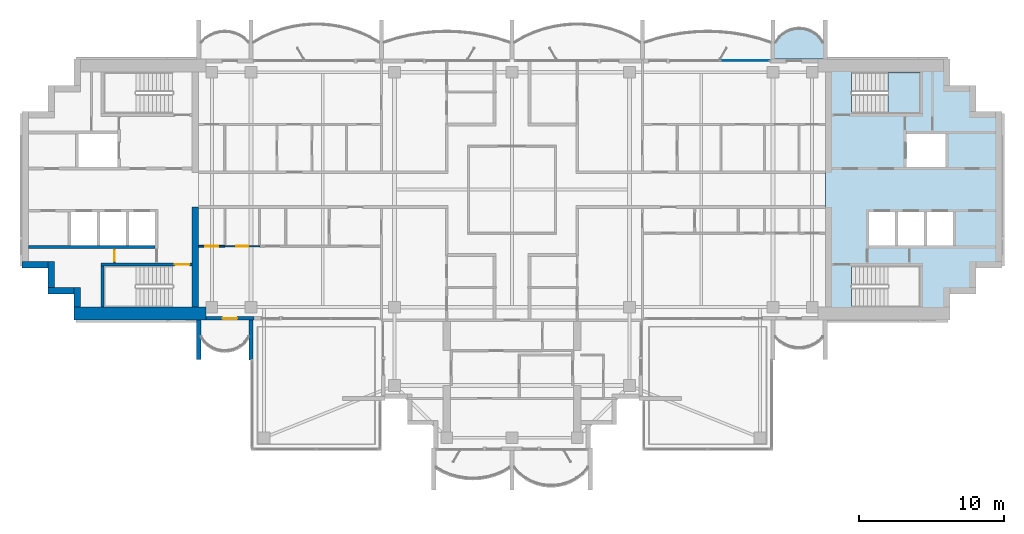
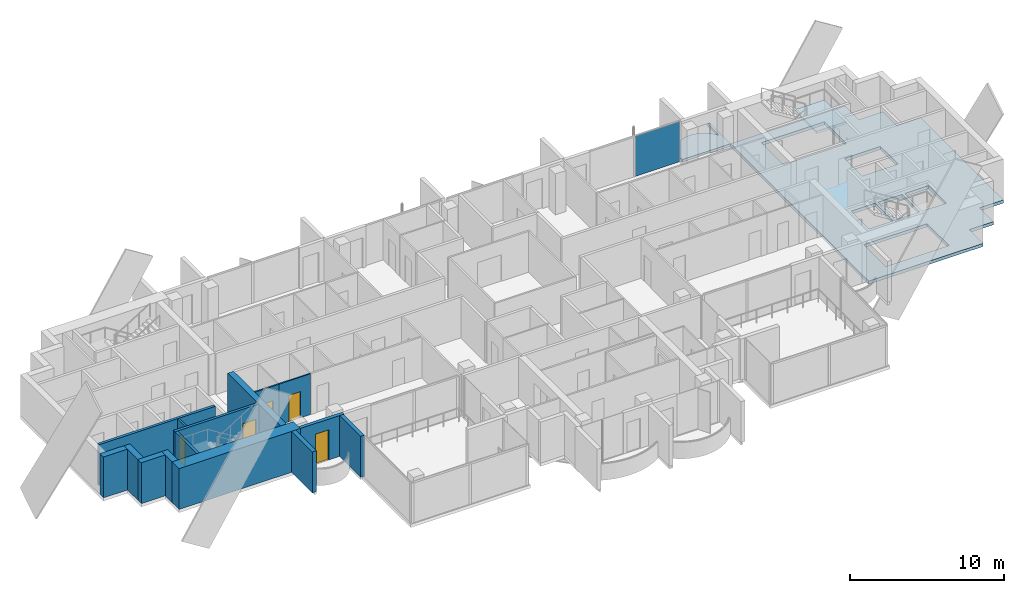
# One storey, part 6 of 16: 15 walls, 5 doors, 3 slabs, 1 plate, 5 openings, 2 elements without a shape of their own.
"""IFC4 building model written with IfcOpenShell, lengths in metres."""

from ifc_helpers import new_model, si_unit, direction, frame, frame_2d, origin, origin_2d, place, context, subcontext, project, spatial, polyline, rectangle, outline, extrude, material, layer, layer_set, type_object, element, fill, aggregate, save


model = new_model("IFC4")

# Units and contexts
model_context = context("Model", 3, precision=1e-05, world=origin(), true_north=direction((0.0, 1.0)))
body_context = subcontext(model_context, "Body", "Model", "MODEL_VIEW")
ifc_project = project(units=[si_unit("LENGTHUNIT", "METRE"), si_unit("AREAUNIT", "SQUARE_METRE"), si_unit("VOLUMEUNIT", "CUBIC_METRE"), si_unit("PLANEANGLEUNIT", "RADIAN"), si_unit("MASSUNIT", "GRAM", prefix="KILO")], contexts=[model_context])

# Site, building, storey
site_placement = place(None, origin())
site = spatial("IfcSite", under=ifc_project, at=site_placement, CompositionType="ELEMENT")
building_placement = place(site_placement, origin())
building = spatial("IfcBuilding", under=site, at=building_placement, Name="Perihelion Cross Residences", CompositionType="ELEMENT")
storey_placement = place(building_placement, frame((0.0, 0.0, 239.5)))
storey = spatial("IfcBuildingStorey", under=building, at=storey_placement, Name="L60", CompositionType="ELEMENT", Elevation=239.5)

# Slab
ifc_material_1 = material(Name="Concrete C40/50", Category="concrete")
ifc_layer_1 = layer(ifc_material_1, 0.199951171875)
ifc_layer_set_1 = layer_set([ifc_layer_1], Name="Balcony slab 200")
slab_type_1 = type_object("IfcSlabType", Name="Balcony slab 200", PredefinedType="FLOOR", material=ifc_layer_set_1)
slab_1_placement = place(storey_placement, frame((0.0, 0.0, -0.199951171875)))
element("IfcSlab", 1, at=slab_1_placement, inside=storey, type_object=slab_type_1, Name="Slab BK1 L60 east side north bay 1 balcony", PredefinedType="FLOOR", context=body_context, shape_type="SweptSolid", body=[
    extrude(outline(polyline([(21.60009765625, 9.0), (18.0, 9.0), (18.0, 11.699951171875), (18.14990234375, 11.699951171875), (18.14990234375, 10.199951171875), (18.425048828125, 10.568603515625), (18.699951171875, 10.806396484375), (18.97509765625, 10.96875), (19.25, 11.07568359375), (19.52490234375, 11.136962890625), (19.800048828125, 11.156982421875), (20.074951171875, 11.136962890625), (20.35009765625, 11.07568359375), (20.625, 10.96875), (20.89990234375, 10.806396484375), (21.175048828125, 10.568603515625), (21.449951171875, 10.199951171875), (21.449951171875, 11.699951171875), (21.60009765625, 11.699951171875), (21.60009765625, 9.0)])), origin(), (0.0, 0.0, 1.0), 0.199951171875),
])

# Curtain wall, plate
ifc_material_2 = material(Name="Bronze anodised aluminium, tinted glazing", Category="aluminium")
curtain_wall_type = type_object("IfcCurtainWallType", Name="CW1", PredefinedType="NOTDEFINED", material=ifc_material_2)
curtain_wall_placement = place(storey_placement, origin())
curtain_wall = element("IfcCurtainWall", 2, at=curtain_wall_placement, inside=storey, type_object=curtain_wall_type, Name="Curtain wall CW1 L60 east side north bay 2", PredefinedType="NOTDEFINED")
ifc_material_3 = material(Name="Tinted laminated glass", Category="glass")
ifc_layer_2 = layer(ifc_material_3, 0.028076171875)
ifc_layer_set_2 = layer_set([ifc_layer_2], Name="CW1 panel")
plate_type = type_object("IfcPlateType", Name="CW1 panel", PredefinedType="CURTAIN_PANEL", material=ifc_layer_set_2)
plate_placement = place(storey_placement, frame((16.06005859375, 8.89990234375, 0.0), z_axis=(0.0, 0.0, 1.0), x_axis=(-1.0, 0.0, 0.0)))
plate = element("IfcPlate", 3, at=plate_placement, type_object=plate_type, Name="CW1 panel 1", PredefinedType="CURTAIN_PANEL", context=body_context, shape_type="SweptSolid", body=[
    extrude(rectangle(XDim=3.360107421875, YDim=0.028076171875, at=origin_2d()), origin(), (0.0, 0.0, 1.0), 3.18994140625),
])
aggregate(curtain_wall, [plate])

# Slab
ifc_material_4 = material(Name="Concrete C40/50", Category="concrete")
ifc_layer_3 = layer(ifc_material_4, 0.25)
ifc_layer_set_3 = layer_set([ifc_layer_3], Name="Core floor slab 250")
slab_type_2 = type_object("IfcSlabType", Name="Core floor slab 250", PredefinedType="FLOOR", material=ifc_layer_set_3)
slab_2_placement = place(storey_placement, frame((0.0, 0.0, -0.25)))
element("IfcSlab", 4, at=slab_2_placement, inside=storey, type_object=slab_type_2, Name="East core floor slab", PredefinedType="FLOOR", context=body_context, shape_type="SweptSolid", body=[
    extrude(outline(polyline([(30.199951171875, 7.199951171875), (32.0, 7.199951171875), (32.0, 5.39990234375), (33.800048828125, 5.39990234375), (33.800048828125, -5.39990234375), (32.0, -5.39990234375), (32.0, -7.199951171875), (30.199951171875, -7.199951171875), (30.199951171875, -9.0), (21.60009765625, -9.0), (21.60009765625, 9.0), (30.199951171875, 9.0), (30.199951171875, 7.199951171875)]), holes=[polyline([(28.14990234375, -8.10009765625), (28.14990234375, -5.25), (23.405029296875, -5.25), (23.405029296875, -8.10009765625), (28.14990234375, -8.10009765625)]), polyline([(24.60009765625, -1.550048828125), (24.60009765625, -3.85009765625), (26.39990234375, -3.85009765625), (26.39990234375, -1.550048828125), (24.60009765625, -1.550048828125)]), polyline([(26.60009765625, -1.550048828125), (26.60009765625, -3.85009765625), (28.39990234375, -3.85009765625), (28.39990234375, -1.550048828125), (26.60009765625, -1.550048828125)]), polyline([(28.60009765625, -3.85009765625), (30.39990234375, -3.85009765625), (30.39990234375, -1.550048828125), (28.60009765625, -1.550048828125), (28.60009765625, -3.85009765625)]), polyline([(27.199951171875, 3.85009765625), (27.199951171875, 1.550048828125), (29.89990234375, 1.550048828125), (29.89990234375, 3.85009765625), (27.199951171875, 3.85009765625)]), polyline([(23.405029296875, 5.25), (28.14990234375, 5.25), (28.14990234375, 8.10009765625), (23.405029296875, 8.10009765625), (23.405029296875, 5.25)])]), origin(), (0.0, 0.0, 1.0), 0.25),
])

# Stair, slab
ifc_material_5 = material(Name="Concrete C40/50", Category="concrete")
stair_type = type_object("IfcStairType", Name="Exit stair, half-turn", PredefinedType="HALF_TURN_STAIR", material=ifc_material_5)
stair_placement = place(storey_placement, origin())
stair = element("IfcStair", 5, at=stair_placement, inside=storey, type_object=stair_type, Name="L60 East core exit stair 1", PredefinedType="HALF_TURN_STAIR")
ifc_material_6 = material(Name="Concrete C40/50", Category="concrete")
ifc_layer_4 = layer(ifc_material_6, 0.199951171875)
ifc_layer_set_4 = layer_set([ifc_layer_4], Name="Exit stair landing 200")
slab_type_3 = type_object("IfcSlabType", Name="Exit stair landing 200", PredefinedType="LANDING", material=ifc_layer_set_4)
slab_3_placement = place(storey_placement, frame((0.0, 0.0, 1.550048828125)))
slab_3 = element("IfcSlab", 6, at=slab_3_placement, type_object=slab_type_3, Name="ST-E1 landing 1", PredefinedType="LANDING", context=body_context, shape_type="SweptSolid", body=[
    extrude(outline(polyline([(25.919921875, 5.25), (28.14990234375, 5.25), (28.14990234375, 8.10009765625), (25.919921875, 8.10009765625), (25.919921875, 5.25)])), origin(), (0.0, 0.0, 1.0), 0.199951171875),
])
aggregate(stair, [slab_3])

# Wall, opening, door
ifc_material_7 = material(Name="Concrete C30/37, bronze-clad", Category="concrete")
ifc_layer_5 = layer(ifc_material_7, 0.25)
ifc_layer_set_5 = layer_set([ifc_layer_5], Name="Bronze-clad pier wall 250")
wall_type_1 = type_object("IfcWallType", Name="Bronze-clad pier wall 250", PredefinedType="SOLIDWALL", material=ifc_layer_set_5)
wall_1_placement = place(storey_placement, frame((-21.10009765625, -8.875, 0.0), z_axis=(0.0, 0.0, 1.0), x_axis=(1.0, 0.0, 0.0)))
wall_1 = element("IfcWall", 7, at=wall_1_placement, inside=storey, type_object=wall_type_1, Name="Wall FW1 L60 west side south bay 1 pier", PredefinedType="SOLIDWALL", context=body_context, shape_type="SweptSolid", body=[
    extrude(rectangle(XDim=3.300048828125, YDim=0.25, at=frame_2d((1.64990234375, 0.0))), origin(), (0.0, 0.0, 1.0), 3.25),
])
opening_1_placement = place(wall_1_placement, frame((1.14990234375, 0.0, 0.0)))
opening_1 = element("IfcOpeningElement", 8, at=opening_1_placement, cuts=wall_1, Name="Opening L60.E07", PredefinedType="OPENING", context=body_context, shape_type="SweptSolid", body=[
    extrude(rectangle(XDim=1.0, YDim=2.39990234375, at=frame_2d((0.5, 1.199951171875))), frame((0.0, 0.135009765625, 0.0), z_axis=(0.0, -1.0, 0.0), x_axis=(1.0, 0.0, 0.0)), (0.0, 0.0, 1.0), 0.27001953125),
])
ifc_material_8 = material(Name="Bronze anodised aluminium, glazed", Category="aluminium")
door_type_1 = type_object("IfcDoorType", Name="Balcony door 1000 x 2400", OperationType="NOTDEFINED", PredefinedType="DOOR", material=ifc_material_8)
door_1_placement = place(opening_1_placement, origin())
door_1 = element("IfcDoor", 9, at=door_1_placement, inside=storey, type_object=door_type_1, Name="Door L60.E07 west side south bay 1", OperationType="SINGLE_SWING_LEFT", OverallHeight=2.39990234375, OverallWidth=1.0, PredefinedType="DOOR", context=body_context, shape_type="SweptSolid", body=[
    extrude(rectangle(XDim=1.0, YDim=2.39990234375, at=frame_2d((0.5, 1.199951171875))), frame((0.0, 0.02490234375, 0.0), z_axis=(0.0, -1.0, 0.0), x_axis=(1.0, 0.0, 0.0)), (0.0, 0.0, 1.0), 0.050048828125),
])
fill(opening_1, door_1)

# Walls
ifc_material_9 = material(Name="Concrete C60/75", Category="concrete")
ifc_layer_6 = layer(ifc_material_9, 0.449951171875)
ifc_layer_set_6 = layer_set([ifc_layer_6], Name="Core wall, inner 450")
wall_type_2 = type_object("IfcWallType", Name="Core wall, inner 450", PredefinedType="SHEAR", material=ifc_layer_set_6)
wall_2_placement = place(storey_placement, frame((-21.824951171875, -8.10009765625, 0.0), z_axis=(0.0, 0.0, 1.0), x_axis=(0.0, 1.0, 0.0)))
element("IfcWall", 10, at=wall_2_placement, inside=storey, type_object=wall_type_2, Name="West core core wall, inner", PredefinedType="SHEAR", context=body_context, shape_type="SweptSolid", body=[
    extrude(rectangle(XDim=6.900146484375, YDim=0.449951171875, at=frame_2d((3.4501953125, 0.0))), origin(), (0.0, 0.0, 1.0), 3.25),
])
ifc_material_10 = material(Name="Concrete C60/75", Category="concrete")
ifc_layer_7 = layer(ifc_material_10, 0.449951171875)
ifc_layer_set_7 = layer_set([ifc_layer_7], Name="Core wall, outer 450")
wall_type_3 = type_object("IfcWallType", Name="Core wall, outer 450", PredefinedType="SHEAR", material=ifc_layer_set_7)
wall_3_placement = place(storey_placement, frame((-29.97509765625, -8.10009765625, 0.0), z_axis=(0.0, 0.0, 1.0), x_axis=(0.0, 1.0, 0.0)))
element("IfcWall", 11, at=wall_3_placement, inside=storey, type_object=wall_type_3, Name="West core core wall, outer", PredefinedType="SHEAR", context=body_context, shape_type="SweptSolid", body=[
    extrude(rectangle(XDim=1.35009765625, YDim=0.449951171875, at=frame_2d((0.675048828125, 0.0))), origin(), (0.0, 0.0, 1.0), 3.25),
])
for number, where, z_axis, x_axis, name in (
    (12, (-32.0, -6.97509765625, 0.0), (0.0, 0.0, 1.0), (1.0, 0.0, 0.0), "West core core wall, outer"),
    (13, (-31.77490234375, -6.75, 0.0), (0.0, 0.0, 1.0), (0.0, 1.0, 0.0), "West core core wall, outer"),
    (14, (-33.800048828125, -5.175048828125, 0.0), (0.0, 0.0, 1.0), (1.0, 0.0, 0.0), "West core core wall, outer"),
):
    element("IfcWall", number, at=place(storey_placement, frame(where, z_axis=z_axis, x_axis=x_axis)), inside=storey, type_object=wall_type_3, Name=name, PredefinedType="SHEAR", context=body_context, shape_type="SweptSolid", body=[
        extrude(rectangle(XDim=1.800048828125, YDim=0.449951171875, at=frame_2d((0.89990234375, 0.0))), origin(), (0.0, 0.0, 1.0), 3.25),
    ])
ifc_material_11 = material(Name="Concrete C60/75", Category="concrete")
ifc_layer_8 = layer(ifc_material_11, 0.89990234375)
ifc_layer_set_8 = layer_set([ifc_layer_8], Name="Core wall, outer 900")
wall_type_4 = type_object("IfcWallType", Name="Core wall, outer 900", PredefinedType="SHEAR", material=ifc_layer_set_8)
wall_4_placement = place(storey_placement, frame((-30.199951171875, -8.550048828125, 0.0), z_axis=(0.0, 0.0, 1.0), x_axis=(1.0, 0.0, 0.0)))
element("IfcWall", 15, at=wall_4_placement, inside=storey, type_object=wall_type_4, Name="West core core wall, outer", PredefinedType="SHEAR", context=body_context, shape_type="SweptSolid", body=[
    extrude(rectangle(XDim=9.099853515625, YDim=0.89990234375, at=frame_2d((4.5498046875, 0.0))), origin(), (0.0, 0.0, 1.0), 3.25),
])

# Wall, opening, door
ifc_material_12 = material(Name="Plasterboard partition")
ifc_layer_9 = layer(ifc_material_12, 0.1201171875)
ifc_layer_set_9 = layer_set([ifc_layer_9], Name="Partition wall 120")
wall_type_5 = type_object("IfcWallType", Name="Partition wall 120", PredefinedType="PARTITIONING", material=ifc_layer_set_9)
wall_5_placement = place(storey_placement, frame((-19.800048828125, -3.89990234375, 0.0), z_axis=(0.0, 0.0, 1.0), x_axis=(-1.0, 0.0, 0.0)))
wall_5 = element("IfcWall", 16, at=wall_5_placement, inside=storey, type_object=wall_type_5, Name="Partition L60 W061", PredefinedType="PARTITIONING", context=body_context, shape_type="SweptSolid", body=[
    extrude(rectangle(XDim=1.800048828125, YDim=0.1201171875, at=frame_2d((0.89990234375, 0.0))), origin(), (0.0, 0.0, 1.0), 3.25),
])
opening_2_placement = place(wall_5_placement, frame((0.449951171875, 0.0, 0.0)))
opening_2 = element("IfcOpeningElement", 17, at=opening_2_placement, cuts=wall_5, Name="Opening L60.A26", PredefinedType="OPENING", context=body_context, shape_type="SweptSolid", body=[
    extrude(rectangle(XDim=0.89990234375, YDim=2.10009765625, at=frame_2d((0.449951171875, 1.050048828125))), frame((0.0, 0.070068359375, 0.0), z_axis=(0.0, -1.0, 0.0), x_axis=(1.0, 0.0, 0.0)), (0.0, 0.0, 1.0), 0.14013671875),
])
ifc_material_13 = material(Name="Timber door leaf", Category="wood")
door_type_2 = type_object("IfcDoorType", Name="Interior room door 900 x 2100", OperationType="SINGLE_SWING_LEFT", PredefinedType="DOOR", material=ifc_material_13)
door_2_placement = place(opening_2_placement, origin())
door_2 = element("IfcDoor", 18, at=door_2_placement, inside=storey, type_object=door_type_2, Name="Door L60.A26", OperationType="SINGLE_SWING_LEFT", OverallHeight=2.10009765625, OverallWidth=0.89990234375, PredefinedType="DOOR", context=body_context, shape_type="SweptSolid", body=[
    extrude(rectangle(XDim=0.89990234375, YDim=2.10009765625, at=frame_2d((0.449951171875, 1.050048828125))), frame((0.0, 0.02490234375, 0.0), z_axis=(0.0, -1.0, 0.0), x_axis=(1.0, 0.0, 0.0)), (0.0, 0.0, 1.0), 0.050048828125),
])
fill(opening_2, door_2)

# Walls
ifc_material_14 = material(Name="Precast concrete C50/60", Category="concrete")
ifc_layer_10 = layer(ifc_material_14, 0.300048828125)
ifc_layer_set_10 = layer_set([ifc_layer_10], Name="Precast concrete C50/60 blade wall 300")
wall_type_6 = type_object("IfcWallType", Name="Precast concrete C50/60 blade wall 300", PredefinedType="SOLIDWALL", material=ifc_layer_set_10)
wall_6_placement = place(storey_placement, frame((-21.60009765625, -9.0, 0.0), z_axis=(0.0, 0.0, 1.0), x_axis=(0.0, -1.0, 0.0)))
element("IfcWall", 19, at=wall_6_placement, inside=storey, type_object=wall_type_6, Name="Wall BL1 L60 no. 3", PredefinedType="SOLIDWALL", context=body_context, shape_type="SweptSolid", body=[
    extrude(rectangle(XDim=2.699951171875, YDim=0.300048828125, at=frame_2d((1.35009765625, 0.0))), origin(), (0.0, 0.0, 1.0), 3.25),
])
wall_7_placement = place(storey_placement, frame((-18.0, -9.0, 0.0), z_axis=(0.0, 0.0, 1.0), x_axis=(0.0, -1.0, 0.0)))
element("IfcWall", 20, at=wall_7_placement, inside=storey, type_object=wall_type_6, Name="Wall BL1 L60 no. 1", PredefinedType="SOLIDWALL", context=body_context, shape_type="SweptSolid", body=[
    extrude(rectangle(XDim=2.739990234375, YDim=0.300048828125, at=frame_2d((1.3701171875, 0.0))), origin(), (0.0, 0.0, 1.0), 3.25),
])

# Wall, opening, door
ifc_material_15 = material(Name="Fire-rated board on steel stud", Category="steel")
ifc_layer_11 = layer(ifc_material_15, 0.14990234375)
ifc_layer_set_11 = layer_set([ifc_layer_11], Name="Riser wall 150")
wall_type_7 = type_object("IfcWallType", Name="Riser wall 150", PredefinedType="PARTITIONING", material=ifc_layer_set_11)
wall_8_placement = place(storey_placement, frame((-27.39990234375, -5.050048828125, 0.0), z_axis=(0.0, 0.0, 1.0), x_axis=(0.0, 1.0, 0.0)))
wall_8 = element("IfcWall", 21, at=wall_8_placement, inside=storey, type_object=wall_type_7, Name="West core riser wall", PredefinedType="PARTITIONING", context=body_context, shape_type="SweptSolid", body=[
    extrude(rectangle(XDim=1.0, YDim=0.14990234375, at=frame_2d((0.5, 0.0))), origin(), (0.0, 0.0, 1.0), 3.25),
])
opening_3_placement = place(wall_8_placement, frame((0.10009765625, 0.0, 0.0)))
opening_3 = element("IfcOpeningElement", 22, at=opening_3_placement, cuts=wall_8, Name="Opening L60.C25", PredefinedType="OPENING", context=body_context, shape_type="SweptSolid", body=[
    extrude(rectangle(XDim=0.800048828125, YDim=2.10009765625, at=frame_2d((0.39990234375, 1.050048828125))), frame((0.0, 0.0849609375, 0.0), z_axis=(0.0, -1.0, 0.0), x_axis=(1.0, 0.0, 0.0)), (0.0, 0.0, 1.0), 0.169921875),
])
ifc_material_16 = material(Name="Steel, powder coated", Category="steel")
door_type_3 = type_object("IfcDoorType", Name="Riser door 800", OperationType="SINGLE_SWING_LEFT", PredefinedType="DOOR", material=ifc_material_16)
door_3_placement = place(opening_3_placement, origin())
door_3 = element("IfcDoor", 23, at=door_3_placement, inside=storey, type_object=door_type_3, Name="West core riser door", OperationType="SINGLE_SWING_LEFT", OverallHeight=2.10009765625, OverallWidth=0.800048828125, PredefinedType="DOOR", context=body_context, shape_type="SweptSolid", body=[
    extrude(rectangle(XDim=0.800048828125, YDim=2.10009765625, at=frame_2d((0.39990234375, 1.050048828125))), frame((0.0, 0.02490234375, 0.0), z_axis=(0.0, -1.0, 0.0), x_axis=(1.0, 0.0, 0.0)), (0.0, 0.0, 1.0), 0.050048828125),
])
fill(opening_3, door_3)

# Wall
ifc_material_17 = material(Name="Concrete C50/60", Category="concrete")
ifc_layer_12 = layer(ifc_material_17, 0.199951171875)
ifc_layer_set_12 = layer_set([ifc_layer_12], Name="Shaft wall 200")
wall_type_8 = type_object("IfcWallType", Name="Shaft wall 200", PredefinedType="SOLIDWALL", material=ifc_layer_set_12)
wall_9_placement = place(storey_placement, frame((-33.35009765625, -3.949951171875, 0.0), z_axis=(0.0, 0.0, 1.0), x_axis=(1.0, 0.0, 0.0)))
element("IfcWall", 24, at=wall_9_placement, inside=storey, type_object=wall_type_8, Name="West core shaft wall", PredefinedType="SOLIDWALL", context=body_context, shape_type="SweptSolid", body=[
    extrude(rectangle(XDim=8.75, YDim=0.199951171875, at=frame_2d((4.375, 0.0))), origin(), (0.0, 0.0, 1.0), 3.25),
])

# Wall, opening, door
ifc_material_18 = material(Name="Concrete C50/60", Category="concrete")
ifc_layer_13 = layer(ifc_material_18, 0.199951171875)
ifc_layer_set_13 = layer_set([ifc_layer_13], Name="Stair wall 200")
wall_type_9 = type_object("IfcWallType", Name="Stair wall 200", PredefinedType="SOLIDWALL", material=ifc_layer_set_13)
wall_10_placement = place(storey_placement, frame((-28.35009765625, -5.14990234375, 0.0), z_axis=(0.0, 0.0, 1.0), x_axis=(1.0, 0.0, 0.0)))
wall_10 = element("IfcWall", 25, at=wall_10_placement, inside=storey, type_object=wall_type_9, Name="West core stair wall", PredefinedType="SOLIDWALL", context=body_context, shape_type="SweptSolid", body=[
    extrude(rectangle(XDim=6.300048828125, YDim=0.199951171875, at=frame_2d((3.14990234375, 0.0))), origin(), (0.0, 0.0, 1.0), 3.25),
])
opening_4_placement = place(wall_10_placement, frame((5.10009765625, 0.0, 0.0)))
opening_4 = element("IfcOpeningElement", 26, at=opening_4_placement, cuts=wall_10, Name="Opening L60.C19", PredefinedType="OPENING", context=body_context, shape_type="SweptSolid", body=[
    extrude(rectangle(XDim=1.0, YDim=2.10009765625, at=frame_2d((0.5, 1.050048828125))), frame((0.0, 0.10986328125, 0.0), z_axis=(0.0, -1.0, 0.0), x_axis=(1.0, 0.0, 0.0)), (0.0, 0.0, 1.0), 0.219970703125),
])
ifc_material_19 = material(Name="Steel, powder coated", Category="steel")
door_type_4 = type_object("IfcDoorType", Name="Stair door 1000", OperationType="SINGLE_SWING_LEFT", PredefinedType="DOOR", material=ifc_material_19)
door_4_placement = place(opening_4_placement, origin())
door_4 = element("IfcDoor", 27, at=door_4_placement, inside=storey, type_object=door_type_4, Name="West core stair door", OperationType="SINGLE_SWING_LEFT", OverallHeight=2.10009765625, OverallWidth=1.0, PredefinedType="DOOR", context=body_context, shape_type="SweptSolid", body=[
    extrude(rectangle(XDim=1.0, YDim=2.10009765625, at=frame_2d((0.5, 1.050048828125))), frame((0.0, 0.02490234375, 0.0), z_axis=(0.0, -1.0, 0.0), x_axis=(1.0, 0.0, 0.0)), (0.0, 0.0, 1.0), 0.050048828125),
])
fill(opening_4, door_4)

# Wall
wall_11_placement = place(storey_placement, frame((-28.25, -8.10009765625, 0.0), z_axis=(0.0, 0.0, 1.0), x_axis=(0.0, 1.0, 0.0)))
element("IfcWall", 28, at=wall_11_placement, inside=storey, type_object=wall_type_9, Name="West core stair wall", PredefinedType="SOLIDWALL", context=body_context, shape_type="SweptSolid", body=[
    extrude(rectangle(XDim=2.85009765625, YDim=0.199951171875, at=frame_2d((1.425048828125, 0.0))), origin(), (0.0, 0.0, 1.0), 3.25),
])

# Wall, opening, door
ifc_material_20 = material(Name="Plasterboard partition")
ifc_layer_14 = layer(ifc_material_20, 0.10009765625)
ifc_layer_set_14 = layer_set([ifc_layer_14], Name="Wet room wall 100")
wall_type_10 = type_object("IfcWallType", Name="Wet room wall 100", PredefinedType="PARTITIONING", material=ifc_layer_set_14)
wall_12_placement = place(storey_placement, frame((-17.39990234375, -3.89990234375, 0.0), z_axis=(0.0, 0.0, 1.0), x_axis=(-1.0, 0.0, 0.0)))
wall_12 = element("IfcWall", 29, at=wall_12_placement, inside=storey, type_object=wall_type_10, Name="Partition L60 W060", PredefinedType="PARTITIONING", context=body_context, shape_type="SweptSolid", body=[
    extrude(rectangle(XDim=2.400146484375, YDim=0.10009765625, at=frame_2d((1.2001953125, 0.0))), origin(), (0.0, 0.0, 1.0), 3.25),
])
opening_5_placement = place(wall_12_placement, frame((0.77490234375, 0.0, 0.0)))
opening_5 = element("IfcOpeningElement", 30, at=opening_5_placement, cuts=wall_12, Name="Opening L60.A25", PredefinedType="OPENING", context=body_context, shape_type="SweptSolid", body=[
    extrude(rectangle(XDim=0.85009765625, YDim=2.10009765625, at=frame_2d((0.425048828125, 1.050048828125))), frame((0.0, 0.06005859375, 0.0), z_axis=(0.0, -1.0, 0.0), x_axis=(1.0, 0.0, 0.0)), (0.0, 0.0, 1.0), 0.1201171875),
])
ifc_material_21 = material(Name="Timber door leaf", Category="wood")
door_type_5 = type_object("IfcDoorType", Name="Interior bathroom door 850 x 2100", OperationType="SINGLE_SWING_LEFT", PredefinedType="DOOR", material=ifc_material_21)
door_5_placement = place(opening_5_placement, origin())
door_5 = element("IfcDoor", 31, at=door_5_placement, inside=storey, type_object=door_type_5, Name="Door L60.A25", OperationType="SINGLE_SWING_LEFT", OverallHeight=2.10009765625, OverallWidth=0.85009765625, PredefinedType="DOOR", context=body_context, shape_type="SweptSolid", body=[
    extrude(rectangle(XDim=0.85009765625, YDim=2.10009765625, at=frame_2d((0.425048828125, 1.050048828125))), frame((0.0, 0.02490234375, 0.0), z_axis=(0.0, -1.0, 0.0), x_axis=(1.0, 0.0, 0.0)), (0.0, 0.0, 1.0), 0.050048828125),
])
fill(opening_5, door_5)

save(model, "model.ifc")
